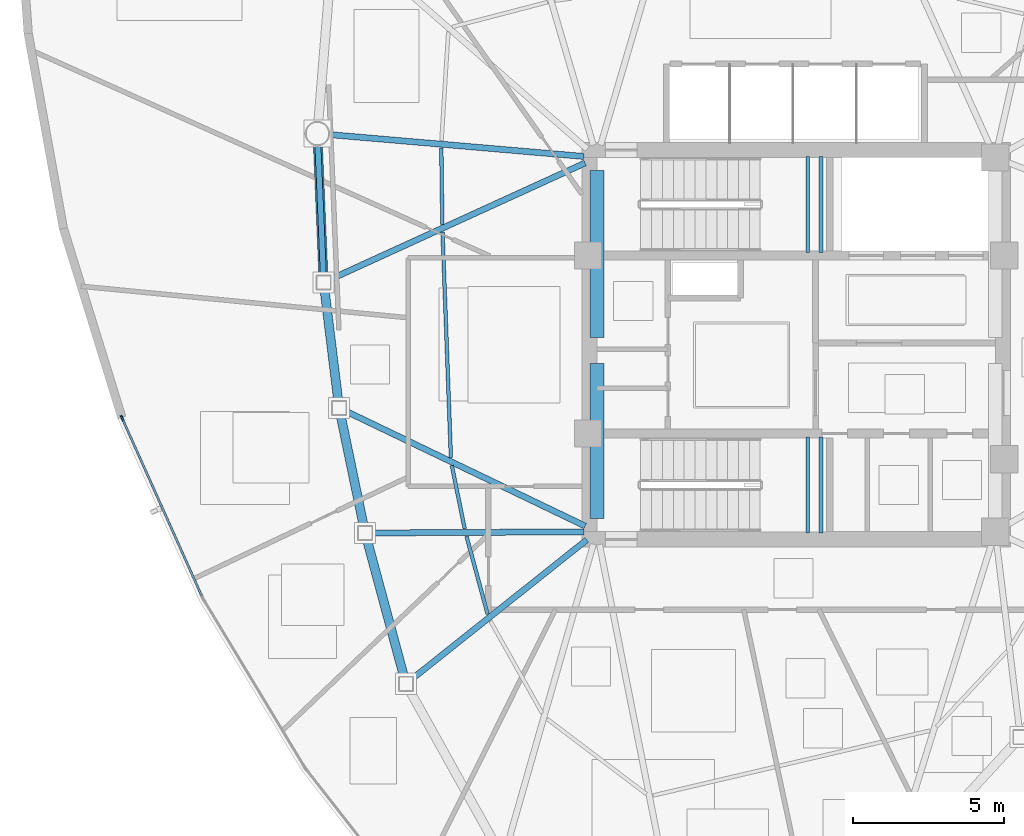
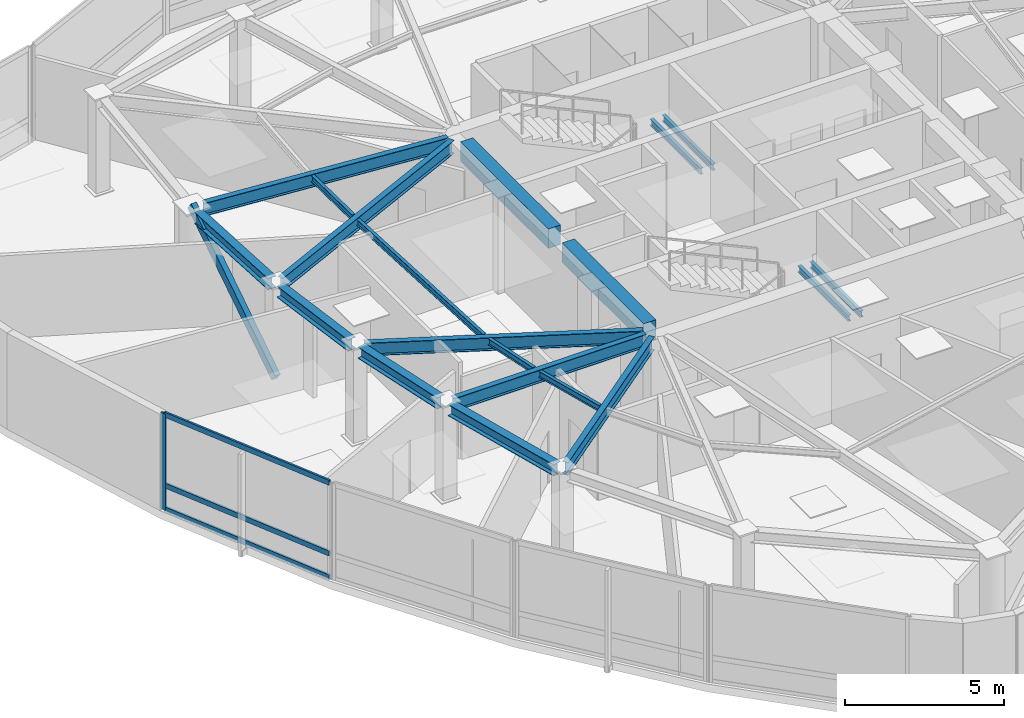
# One storey, part 3 of 12: 19 beams, 5 members, 1 element without a shape of its own.
"""IFC4 building model written with IfcOpenShell, lengths in metres."""

from ifc_helpers import new_model, si_unit, direction, frame, origin, origin_2d, place, context, subcontext, project, spatial, rectangle, hollow_rectangle, i_section, extrude, source, transform, mapped, material, layer, layer_set, material_profile, profile_set, type_object, type_shapes, element, aggregate, save


model = new_model("IFC4")

# Units and contexts
model_context = context("Model", 3, precision=1e-05, world=origin(), true_north=direction((0.0, 1.0)))
body_context = subcontext(model_context, "Body", "Model", "MODEL_VIEW")
ifc_project = project(units=[si_unit("LENGTHUNIT", "METRE"), si_unit("AREAUNIT", "SQUARE_METRE"), si_unit("VOLUMEUNIT", "CUBIC_METRE"), si_unit("PLANEANGLEUNIT", "RADIAN"), si_unit("MASSUNIT", "GRAM", prefix="KILO")], contexts=[model_context])

# Site, building, storey
site_placement = place(None, origin())
site = spatial("IfcSite", under=ifc_project, at=site_placement, CompositionType="ELEMENT")
building_placement = place(site_placement, origin())
building = spatial("IfcBuilding", under=site, at=building_placement, Name="Tavelor Broadcast Tower", CompositionType="ELEMENT")
storey_placement = place(building_placement, frame((0.0, 0.0, 285.5)))
storey = spatial("IfcBuildingStorey", under=building, at=storey_placement, Name="L68", CompositionType="ELEMENT", Elevation=285.5)

# Beams
ifc_material_1 = material(Name="Concrete C40/50", Category="concrete")
ifc_material_profile_1 = material_profile(ifc_material_1, rectangle(XDim=0.449951171875, YDim=0.75, at=origin_2d()), Name="RC 450x750")
ifc_profile_set_1 = profile_set([ifc_material_profile_1], Name="Concrete C40/50")
beam_type_1 = type_object("IfcBeamType", Name="Basement Core Trim Beam 450x750", PredefinedType="BEAM", material=ifc_profile_set_1)
beam_1_placement = place(storey_placement, frame((43.39990234375, 45.23193359375, 3.324951171875), z_axis=(0.0, 1.0, 0.0), x_axis=(-1.0, 0.0, 0.0)))
element("IfcBeam", 1, at=beam_1_placement, inside=storey, type_object=beam_type_1, Name="L68 Core West-N Tie Girder", PredefinedType="BEAM", context=body_context, shape_type="SweptSolid", body=[
    extrude(rectangle(XDim=0.449951171875, YDim=0.75, at=origin_2d()), origin(), (0.0, 0.0, 1.0), 5.5361328125),
])
beam_2_placement = place(storey_placement, frame((43.39990234375, 39.23193359375, 3.324951171875), z_axis=(0.0, 1.0, 0.0), x_axis=(-1.0, 0.0, 0.0)))
element("IfcBeam", 2, at=beam_2_placement, inside=storey, type_object=beam_type_1, Name="L68 Core West-S Tie Girder", PredefinedType="BEAM", context=body_context, shape_type="SweptSolid", body=[
    extrude(rectangle(XDim=0.449951171875, YDim=0.75, at=origin_2d()), origin(), (0.0, 0.0, 1.0), 5.135986328125),
])
ifc_material_2 = material(Name="Steel S355", Category="steel")
ifc_material_profile_2 = material_profile(ifc_material_2, i_section(OverallWidth=0.1201171875, OverallDepth=0.239990234375, WebThickness=0.006103515625, FlangeThickness=0.009765625, at=origin_2d()), Name="IPE 240")
ifc_profile_set_2 = profile_set([ifc_material_profile_2], Name="Steel S355")
beam_type_2 = type_object("IfcBeamType", Name="Composite Floor Joist T7 IPE 240", PredefinedType="JOIST", material=ifc_profile_set_2)
beam_3_placement = place(storey_placement, frame((38.241455078125, 51.514404296875, 3.580078125), z_axis=(0.013238113163, -0.999912372341, 0.0), x_axis=(0.999912372341, 0.013238113163, 0.0)))
element("IfcBeam", 3, at=beam_3_placement, inside=storey, type_object=beam_type_2, Name="L68 Secondary Composite Floor Joist 01", PredefinedType="JOIST", context=body_context, shape_type="SweptSolid", body=[
    extrude(i_section(OverallWidth=0.1201171875, OverallDepth=0.239990234375, WebThickness=0.006103515625, FlangeThickness=0.009765625, at=origin_2d()), origin(), (0.0, 0.0, 1.0), 2.526611328125),
])
beam_4_placement = place(storey_placement, frame((38.281494140625, 48.730224609375, 3.580078125), z_axis=(0.037116611217, -0.999310941185, 0.0), x_axis=(0.999310941185, 0.037116611217, 0.0)))
element("IfcBeam", 4, at=beam_4_placement, inside=storey, type_object=beam_type_2, Name="L68 Secondary Composite Floor Joist 02", PredefinedType="JOIST", context=body_context, shape_type="SweptSolid", body=[
    extrude(i_section(OverallWidth=0.1201171875, OverallDepth=0.239990234375, WebThickness=0.006103515625, FlangeThickness=0.009765625, at=origin_2d()), origin(), (0.0, 0.0, 1.0), 7.4853515625),
])
beam_5_placement = place(storey_placement, frame((38.58984375, 40.99462890625, 3.580078125), z_axis=(0.199500807381, -0.979897661929, 0.0), x_axis=(0.979897661929, 0.199500807381, 0.0)))
element("IfcBeam", 5, at=beam_5_placement, inside=storey, type_object=beam_type_2, Name="L68 Secondary Composite Floor Joist 03", PredefinedType="JOIST", context=body_context, shape_type="SweptSolid", body=[
    extrude(i_section(OverallWidth=0.1201171875, OverallDepth=0.239990234375, WebThickness=0.006103515625, FlangeThickness=0.009765625, at=origin_2d()), origin(), (0.0, 0.0, 1.0), 2.135498046875),
])
beam_6_placement = place(storey_placement, frame((39.075439453125, 38.651123046875, 3.580078125), z_axis=(0.261967616798, -0.965076664182, 0.0), x_axis=(0.965076664182, 0.261967616798, 0.0)))
element("IfcBeam", 6, at=beam_6_placement, inside=storey, type_object=beam_type_2, Name="L68 Secondary Composite Floor Joist 04", PredefinedType="JOIST", context=body_context, shape_type="SweptSolid", body=[
    extrude(i_section(OverallWidth=0.1201171875, OverallDepth=0.239990234375, WebThickness=0.006103515625, FlangeThickness=0.009765625, at=origin_2d()), origin(), (0.0, 0.0, 1.0), 2.677490234375),
])
ifc_material_profile_3 = material_profile(ifc_material_2, i_section(OverallWidth=0.300048828125, OverallDepth=0.43994140625, WebThickness=0.011474609375, FlangeThickness=0.02099609375, at=origin_2d()), Name="HEA 450")
ifc_profile_set_3 = profile_set([ifc_material_profile_3], Name="Steel S355")
beam_type_3 = type_object("IfcBeamType", Name="Perimeter Spandrel Beam T7 HEA 450", PredefinedType="SPANDREL", material=ifc_profile_set_3)
beam_7_placement = place(storey_placement, frame((34.151123046875, 51.60595703125, 3.47998046875), z_axis=(0.041873296911, -0.999122928876, 0.0), x_axis=(0.999122928876, 0.041873296911, 0.0)))
element("IfcBeam", 7, at=beam_7_placement, inside=storey, type_object=beam_type_3, Name="L68 Framed-Tube Ring Spandrel 01", PredefinedType="SPANDREL", context=body_context, shape_type="SweptSolid", body=[
    extrude(i_section(OverallWidth=0.300048828125, OverallDepth=0.43994140625, WebThickness=0.011474609375, FlangeThickness=0.02099609375, at=origin_2d()), origin(), (0.0, 0.0, 1.0), 4.30859375),
])
beam_8_placement = place(storey_placement, frame((34.370849609375, 46.822998046875, 3.47998046875), z_axis=(0.122301764237, -0.992492961418, 0.0), x_axis=(0.992492961418, 0.122301764237, 0.0)))
element("IfcBeam", 8, at=beam_8_placement, inside=storey, type_object=beam_type_3, Name="L68 Framed-Tube Ring Spandrel 02", PredefinedType="SPANDREL", context=body_context, shape_type="SweptSolid", body=[
    extrude(i_section(OverallWidth=0.300048828125, OverallDepth=0.43994140625, WebThickness=0.011474609375, FlangeThickness=0.02099609375, at=origin_2d()), origin(), (0.0, 0.0, 1.0), 3.7109375),
])
beam_9_placement = place(storey_placement, frame((34.903076171875, 42.666748046875, 3.47998046875), z_axis=(0.203665911817, -0.979040446746, 0.0), x_axis=(0.979040446746, 0.203665911817, 0.0)))
element("IfcBeam", 9, at=beam_9_placement, inside=storey, type_object=beam_type_3, Name="L68 Framed-Tube Ring Spandrel 03", PredefinedType="SPANDREL", context=body_context, shape_type="SweptSolid", body=[
    extrude(i_section(OverallWidth=0.300048828125, OverallDepth=0.43994140625, WebThickness=0.011474609375, FlangeThickness=0.02099609375, at=origin_2d()), origin(), (0.0, 0.0, 1.0), 3.753173828125),
])
beam_10_placement = place(storey_placement, frame((35.779296875, 38.525390625, 3.47998046875), z_axis=(0.261032085305, -0.965330125108, 0.0), x_axis=(0.965330125108, 0.261032085305, 0.0)))
element("IfcBeam", 10, at=beam_10_placement, inside=storey, type_object=beam_type_3, Name="L68 Framed-Tube Ring Spandrel 04", PredefinedType="SPANDREL", context=body_context, shape_type="SweptSolid", body=[
    extrude(i_section(OverallWidth=0.300048828125, OverallDepth=0.43994140625, WebThickness=0.011474609375, FlangeThickness=0.02099609375, at=origin_2d()), origin(), (0.0, 0.0, 1.0), 4.697021484375),
])

# Member
ifc_material_profile_4 = material_profile(ifc_material_2, hollow_rectangle(XDim=0.199951171875, YDim=0.35009765625, WallThickness=0.01611328125, at=origin_2d()), Name="RHS 350x200x16")
ifc_profile_set_4 = profile_set([ifc_material_profile_4], Name="Steel S355")
member_type_1 = type_object("IfcMemberType", Name="Perimeter Tube Brace T7 RHS 350x200x16", PredefinedType="BRACE", material=ifc_profile_set_4)
member_1_placement = place(storey_placement, frame((34.341552734375, 47.061279296875, 0.0), z_axis=(-0.033508994779, 0.799626685339, 0.599561766095), x_axis=(-0.999123106787, -0.041869051625, 0.0)))
element("IfcMember", 11, at=member_1_placement, inside=storey, type_object=member_type_1, Name="L68 Corner Tube Diagonal Brace 1", PredefinedType="BRACE", context=body_context, shape_type="SweptSolid", body=[
    extrude(hollow_rectangle(XDim=0.199951171875, YDim=0.35009765625, WallThickness=0.01611328125, at=origin_2d()), origin(), (0.0, 0.0, 1.0), 6.171142578125),
])

# Beams
ifc_material_profile_5 = material_profile(ifc_material_2, i_section(OverallWidth=0.199951171875, OverallDepth=0.5, WebThickness=0.01025390625, FlangeThickness=0.01611328125, at=origin_2d()), Name="IPE 500")
ifc_profile_set_5 = profile_set([ifc_material_profile_5], Name="Steel S355")
beam_type_4 = type_object("IfcBeamType", Name="Radial Floor Girder T7 IPE 500", PredefinedType="BEAM", material=ifc_profile_set_5)
beam_11_placement = place(storey_placement, frame((42.969482421875, 51.237060546875, 3.449951171875), z_axis=(-0.996332421592, 0.085566966079, 0.0), x_axis=(-0.085566966079, -0.996332421592, 0.0)))
element("IfcBeam", 12, at=beam_11_placement, inside=storey, type_object=beam_type_4, Name="L68 Radial Primary Floor Girder 01", PredefinedType="BEAM", context=body_context, shape_type="SweptSolid", body=[
    extrude(i_section(OverallWidth=0.199951171875, OverallDepth=0.5, WebThickness=0.01025390625, FlangeThickness=0.01611328125, at=origin_2d()), origin(), (0.0, 0.0, 1.0), 8.476806640625),
])
beam_12_placement = place(storey_placement, frame((43.007080078125, 51.0205078125, 3.449951171875), z_axis=(-0.909555398284, -0.415582696285, 0.0), x_axis=(0.415582696285, -0.909555398284, 0.0)))
element("IfcBeam", 13, at=beam_12_placement, inside=storey, type_object=beam_type_4, Name="L68 Radial Primary Floor Girder 02", PredefinedType="BEAM", context=body_context, shape_type="SweptSolid", body=[
    extrude(i_section(OverallWidth=0.199951171875, OverallDepth=0.5, WebThickness=0.01025390625, FlangeThickness=0.01611328125, at=origin_2d()), origin(), (0.0, 0.0, 1.0), 9.287353515625),
])
beam_13_placement = place(storey_placement, frame((43.010498046875, 38.98681640625, 3.449951171875), z_axis=(-0.901529113374, 0.432718450888, 0.0), x_axis=(-0.432718450888, -0.901529113374, 0.0)))
element("IfcBeam", 14, at=beam_13_placement, inside=storey, type_object=beam_type_4, Name="L68 Radial Primary Floor Girder 03", PredefinedType="BEAM", context=body_context, shape_type="SweptSolid", body=[
    extrude(i_section(OverallWidth=0.199951171875, OverallDepth=0.5, WebThickness=0.01025390625, FlangeThickness=0.01611328125, at=origin_2d()), origin(), (0.0, 0.0, 1.0), 8.80712890625),
])
beam_14_placement = place(storey_placement, frame((42.968017578125, 38.797607421875, 3.449951171875), z_axis=(-0.999984286501, -0.005605956688, 0.0), x_axis=(0.005605956688, -0.999984286501, 0.0)))
element("IfcBeam", 15, at=beam_14_placement, inside=storey, type_object=beam_type_4, Name="L68 Radial Primary Floor Girder 04", PredefinedType="BEAM", context=body_context, shape_type="SweptSolid", body=[
    extrude(i_section(OverallWidth=0.199951171875, OverallDepth=0.5, WebThickness=0.01025390625, FlangeThickness=0.01611328125, at=origin_2d()), origin(), (0.0, 0.0, 1.0), 7.011474609375),
])
beam_15_placement = place(storey_placement, frame((43.06201171875, 38.531005859375, 3.449951171875), z_axis=(-0.782384634469, -0.622795539279, 0.0), x_axis=(0.622795539279, -0.782384634469, 0.0)))
element("IfcBeam", 16, at=beam_15_placement, inside=storey, type_object=beam_type_4, Name="L68 Radial Primary Floor Girder 05", PredefinedType="BEAM", context=body_context, shape_type="SweptSolid", body=[
    extrude(i_section(OverallWidth=0.199951171875, OverallDepth=0.5, WebThickness=0.01025390625, FlangeThickness=0.01611328125, at=origin_2d()), origin(), (0.0, 0.0, 1.0), 7.421142578125),
])
ifc_material_profile_6 = material_profile(ifc_material_2, i_section(OverallWidth=0.1201171875, OverallDepth=0.239990234375, WebThickness=0.006103515625, FlangeThickness=0.009765625, at=origin_2d()), Name="IPE 240")
ifc_profile_set_6 = profile_set([ifc_material_profile_6], Name="Steel S355")
beam_type_5 = type_object("IfcBeamType", Name="Stairwell Landing Support Trimmer Beam IPE240", PredefinedType="BEAM", material=ifc_profile_set_6)
for number, where, z_axis, x_axis, name in (
    (17, (50.385009765625, 48.06005859375, 1.68505859375), (0.0, 1.0, 0.0), (-1.0, 0.0, 0.0), "L68 Stair Landing Support Beam 177"),
    (18, (50.824951171875, 48.06005859375, 1.68505859375), (0.0, 1.0, 0.0), (-1.0, 0.0, 0.0), "L68 Stair Landing Support Beam 178"),
    (19, (50.385009765625, 38.760009765625, 1.68505859375), (0.0, 1.0, 0.0), (-1.0, 0.0, 0.0), "L68 Stair Landing Support Beam 391"),
    (20, (50.824951171875, 38.760009765625, 1.68505859375), (0.0, 1.0, 0.0), (-1.0, 0.0, 0.0), "L68 Stair Landing Support Beam 392"),
):
    element("IfcBeam", number, at=place(storey_placement, frame(where, z_axis=z_axis, x_axis=x_axis)), inside=storey, type_object=beam_type_5, Name=name, PredefinedType="BEAM", context=body_context, shape_type="SweptSolid", body=[
        extrude(i_section(OverallWidth=0.1201171875, OverallDepth=0.239990234375, WebThickness=0.006103515625, FlangeThickness=0.009765625, at=origin_2d()), origin(), (0.0, 0.0, 1.0), 3.179931640625),
    ])

# Curtain wall, members
ifc_material_3 = material(Name="Architectural Anodized Aluminium", Category="aluminium")
ifc_layer = layer(ifc_material_3, 0.199951171875)
ifc_layer_set = layer_set([ifc_layer], Name="Architectural Anodized Aluminium")
curtain_wall_type = type_object("IfcCurtainWallType", Name="Tower High-Zone Triple-Glazed Curtain Wall CW04", PredefinedType="NOTDEFINED", material=ifc_layer_set)
curtain_wall_placement = place(storey_placement, origin())
curtain_wall = element("IfcCurtainWall", 21, at=curtain_wall_placement, inside=storey, type_object=curtain_wall_type, Name="L68 Curtain Wall CW04 Run 745", PredefinedType="NOTDEFINED")
ifc_material_profile_7 = material_profile(ifc_material_3, hollow_rectangle(XDim=0.070068359375, YDim=0.199951171875, WallThickness=0.02197265625, at=origin_2d()), Name="RHS 70x200x22")
ifc_profile_set_7 = profile_set([ifc_material_profile_7], Name="Architectural Anodized Aluminium")
member_type_2 = type_object("IfcMemberType", Name="CW04 Extruded Aluminium Mullion 70x200", PredefinedType="MULLION", material=ifc_profile_set_7)
shared_shape_1 = source(origin(), body_context, "Body", "SweptSolid", [
    extrude(hollow_rectangle(XDim=0.070068359375, YDim=0.199951171875, WallThickness=0.02197265625, at=origin_2d()), origin(), (0.0, 0.0, 1.0), 3.699951171875),
])
type_shapes(member_type_2, [shared_shape_1])
member_2_placement = place(storey_placement, frame((27.663330078125, 42.559814453125, 0.0), z_axis=(0.0, 0.0, 1.0), x_axis=(0.912657036758, 0.40872623265, 0.0)))
member_2 = element("IfcMember", 22, at=member_2_placement, type_object=member_type_2, Name="CW04 mullion 1", PredefinedType="MULLION", context=body_context, shape_type="MappedRepresentation", body=[
    mapped(shared_shape_1, transform((0.0, 0.0, 0.0), scale=1.0)),
])
ifc_material_profile_8 = material_profile(ifc_material_3, hollow_rectangle(XDim=0.070068359375, YDim=0.199951171875, WallThickness=0.02197265625, at=origin_2d()), Name="RHS 70x200x22")
ifc_profile_set_8 = profile_set([ifc_material_profile_8], Name="Architectural Anodized Aluminium")
member_type_3 = type_object("IfcMemberType", Name="CW04 Extruded Aluminium Transom 70x200", PredefinedType="USERDEFINED", material=ifc_profile_set_8)
shared_shape_2 = source(origin(), body_context, "Body", "SweptSolid", [
    extrude(hollow_rectangle(XDim=0.070068359375, YDim=0.199951171875, WallThickness=0.02197265625, at=origin_2d()), origin(), (0.0, 0.0, 1.0), 6.41015625),
])
type_shapes(member_type_3, [shared_shape_2])
member_3_placement = place(storey_placement, frame((27.677490234375, 42.52783203125, 0.034912109375), z_axis=(0.40873765473, -0.912651921384, 0.0), x_axis=(0.912651921384, 0.40873765473, 0.0)))
member_3 = element("IfcMember", 23, at=member_3_placement, type_object=member_type_3, Name="CW04 transom 1.1", ObjectType="TRANSOM", PredefinedType="USERDEFINED", context=body_context, shape_type="MappedRepresentation", body=[
    mapped(shared_shape_2, transform((0.0, 0.0, 0.0), scale=1.0)),
])
member_4_placement = place(storey_placement, frame((27.677490234375, 42.52783203125, 0.949951171875), z_axis=(0.40873765473, -0.912651921384, 0.0), x_axis=(0.912651921384, 0.40873765473, 0.0)))
member_4 = element("IfcMember", 24, at=member_4_placement, type_object=member_type_3, Name="CW04 transom 1.2", ObjectType="TRANSOM", PredefinedType="USERDEFINED", context=body_context, shape_type="MappedRepresentation", body=[
    mapped(shared_shape_2, transform((0.0, 0.0, 0.0), scale=1.0)),
])
member_5_placement = place(storey_placement, frame((27.677490234375, 42.52783203125, 3.6650390625), z_axis=(0.40873765473, -0.912651921384, 0.0), x_axis=(0.912651921384, 0.40873765473, 0.0)))
member_5 = element("IfcMember", 25, at=member_5_placement, type_object=member_type_3, Name="CW04 transom 1.3", ObjectType="TRANSOM", PredefinedType="USERDEFINED", context=body_context, shape_type="MappedRepresentation", body=[
    mapped(shared_shape_2, transform((0.0, 0.0, 0.0), scale=1.0)),
])
aggregate(curtain_wall, [member_2, member_3, member_4, member_5])

save(model, "model.ifc")
